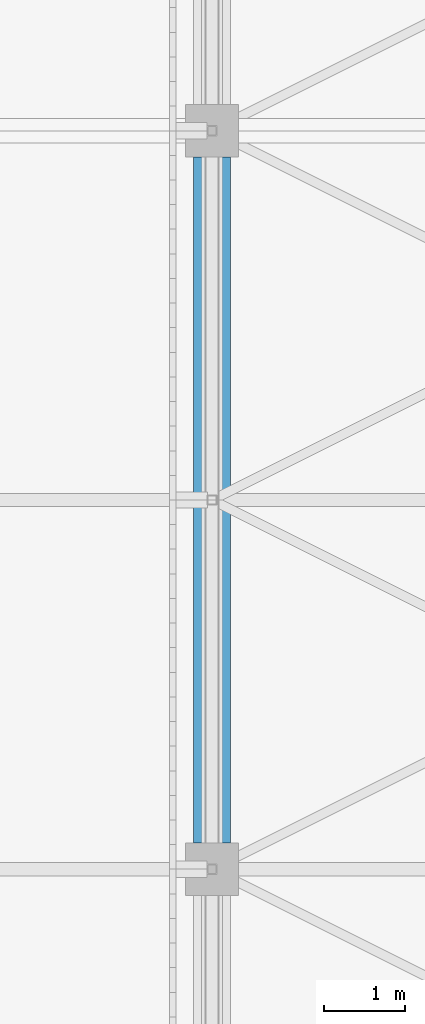
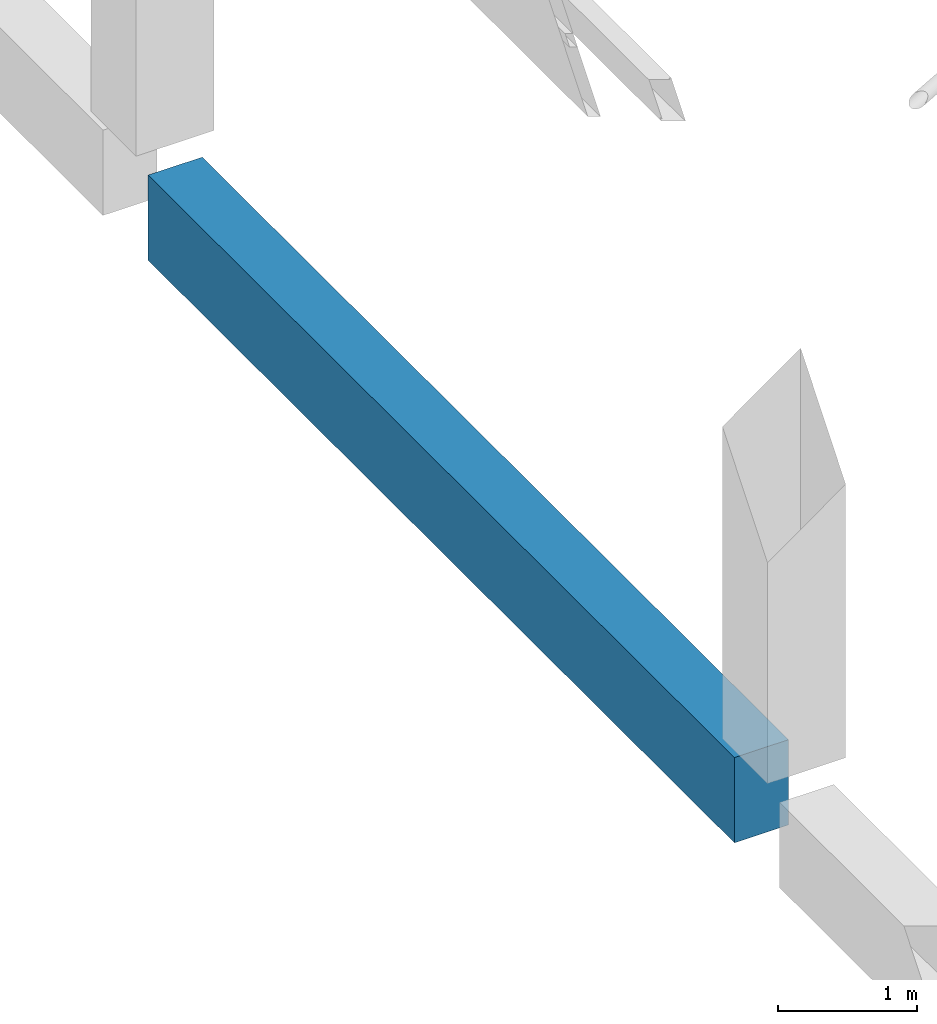
# One storey, part 63 of 500: 1 beam.
"""IFC4 building model written with IfcOpenShell, lengths in metres."""

from ifc_helpers import new_model, si_unit, direction, frame, origin, origin_2d, place, context, subcontext, project, spatial, rectangle, extrude, material, material_profile, profile_set, type_object, element, save


model = new_model("IFC4")

# Units and contexts
model_context = context("Model", 3, precision=1e-05, world=origin(), true_north=direction((0.0, 1.0)))
body_context = subcontext(model_context, "Body", "Model", "MODEL_VIEW")
ifc_project = project(units=[si_unit("LENGTHUNIT", "METRE"), si_unit("AREAUNIT", "SQUARE_METRE"), si_unit("VOLUMEUNIT", "CUBIC_METRE"), si_unit("PLANEANGLEUNIT", "RADIAN"), si_unit("MASSUNIT", "GRAM", prefix="KILO")], contexts=[model_context])

# Site, building, storey
site_placement = place(None, origin())
site = spatial("IfcSite", under=ifc_project, at=site_placement, CompositionType="ELEMENT")
building_placement = place(site_placement, origin())
building = spatial("IfcBuilding", under=site, at=building_placement, Name="Shirokan Park Arena", CompositionType="ELEMENT")
storey_placement = place(building_placement, frame((0.0, 0.0, 29.1201171875)))
storey = spatial("IfcBuildingStorey", under=building, at=storey_placement, Name="L06", CompositionType="ELEMENT", Elevation=29.1201171875)

# Beam
ifc_material = material(Name="Concrete C35", Category="concrete")
ifc_material_profile = material_profile(ifc_material, rectangle(XDim=0.449951171875, YDim=0.75, at=origin_2d()), Name="450x750")
ifc_profile_set = profile_set([ifc_material_profile], Name="Concrete C35")
beam_type = type_object("IfcBeamType", Name="RC girder 450x750", PredefinedType="BEAM", material=ifc_profile_set)
beam_placement = place(storey_placement, frame((0.0, 45.8251953125, -0.5751953125), z_axis=(0.0, 1.0, 0.0), x_axis=(-1.0, 0.0, 0.0)))
element("IfcBeam", 1, at=beam_placement, inside=storey, type_object=beam_type, Name="Girder 1F-1G L06", PredefinedType="BEAM", context=body_context, shape_type="SweptSolid", body=[
    extrude(rectangle(XDim=0.449951171875, YDim=0.75, at=origin_2d()), origin(), (0.0, 0.0, 1.0), 8.44970703125),
])

save(model, "model.ifc")
